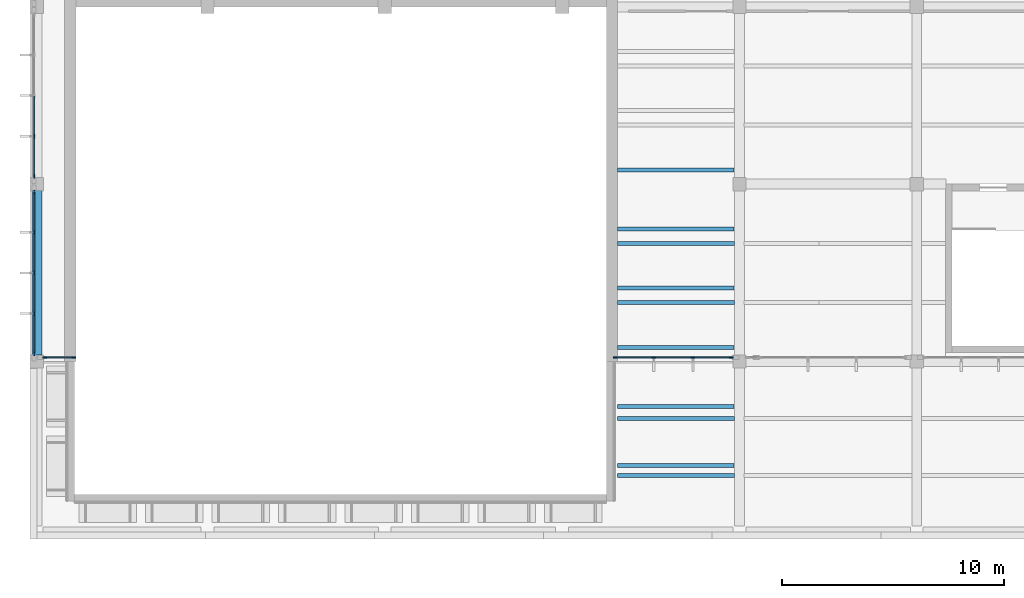
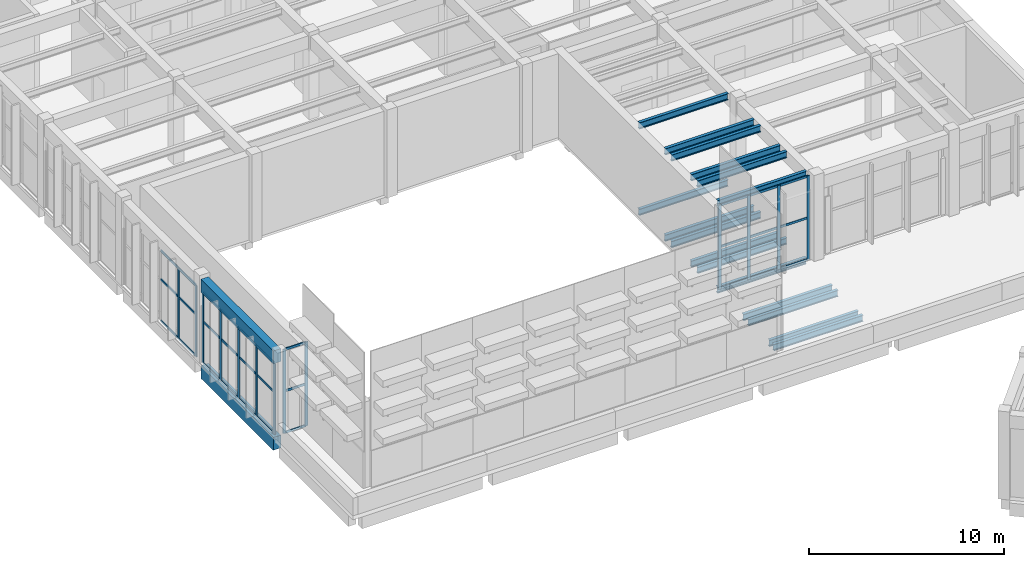
# One storey, part 5 of 94: 43 members, 18 beams, 4 elements without a shape of their own.
"""IFC4 building model written with IfcOpenShell, lengths in metres."""

from ifc_helpers import new_model, si_unit, direction, frame, origin, origin_2d, place, context, subcontext, project, spatial, rectangle, i_section, extrude, material, layer, layer_set, material_profile, profile_set, type_object, element, aggregate, save


model = new_model("IFC4")

# Units and contexts
model_context = context("Model", 3, precision=1e-05, world=origin(), true_north=direction((0.0, 1.0)))
body_context = subcontext(model_context, "Body", "Model", "MODEL_VIEW")
ifc_project = project(units=[si_unit("LENGTHUNIT", "METRE"), si_unit("AREAUNIT", "SQUARE_METRE"), si_unit("VOLUMEUNIT", "CUBIC_METRE"), si_unit("PLANEANGLEUNIT", "RADIAN"), si_unit("MASSUNIT", "GRAM", prefix="KILO")], contexts=[model_context])

# Site, building, storey
site_placement = place(None, origin())
site = spatial("IfcSite", under=ifc_project, at=site_placement, CompositionType="ELEMENT")
building_placement = place(site_placement, origin())
building = spatial("IfcBuilding", under=site, at=building_placement, Name="Lunette Opera House", CompositionType="ELEMENT")
storey_placement = place(building_placement, frame((0.0, 0.0, 22.5)))
storey = spatial("IfcBuildingStorey", under=building, at=storey_placement, Name="L04", CompositionType="ELEMENT", Elevation=22.5)

# Curtain wall, members
ifc_material_1 = material(Name="Aluminium", Category="aluminium")
ifc_layer = layer(ifc_material_1, 0.179931640625)
ifc_layer_set = layer_set([ifc_layer], Name="Aluminium")
curtain_wall_type = type_object("IfcCurtainWallType", Name="SUN FACE CURTAIN WALL", PredefinedType="NOTDEFINED", material=ifc_layer_set)
curtain_wall_1_placement = place(storey_placement, origin())
curtain_wall_1 = element("IfcCurtainWall", 1, at=curtain_wall_1_placement, inside=storey, type_object=curtain_wall_type, Name="Sun Face Curtain Wall F01-1 L04", PredefinedType="NOTDEFINED")
ifc_material_2 = material(Name="Aluminium", Category="aluminium")
ifc_material_profile_1 = material_profile(ifc_material_2, rectangle(XDim=0.06005859375, YDim=0.179931640625, at=origin_2d()), Name="MULLION 60 X 180")
ifc_profile_set_1 = profile_set([ifc_material_profile_1], Name="Aluminium")
member_type_1 = type_object("IfcMemberType", Name="MULLION 60 X 180", PredefinedType="MULLION", material=ifc_profile_set_1)
member_1_placement = place(storey_placement, frame((34.39501953125, 72.18310546875, 0.0), z_axis=(0.0, 0.0, 1.0), x_axis=(0.0, 1.0, 0.0)))
member_1 = element("IfcMember", 2, at=member_1_placement, type_object=member_type_1, Name="RW-X2057 mullion 1", PredefinedType="MULLION", context=body_context, shape_type="SweptSolid", body=[
    extrude(rectangle(XDim=0.06005859375, YDim=0.179931640625, at=origin_2d()), origin(), (0.0, 0.0, 1.0), 5.25),
])
member_2_placement = place(storey_placement, frame((36.13330078125, 72.18310546875, 0.0), z_axis=(0.0, 0.0, 1.0), x_axis=(0.0, 1.0, 0.0)))
member_2 = element("IfcMember", 3, at=member_2_placement, type_object=member_type_1, Name="RW-X2057 mullion 2", PredefinedType="MULLION", context=body_context, shape_type="SweptSolid", body=[
    extrude(rectangle(XDim=0.06005859375, YDim=0.179931640625, at=origin_2d()), origin(), (0.0, 0.0, 1.0), 5.25),
])
member_3_placement = place(storey_placement, frame((37.901611328125, 72.18310546875, 0.0), z_axis=(0.0, 0.0, 1.0), x_axis=(0.0, 1.0, 0.0)))
member_3 = element("IfcMember", 4, at=member_3_placement, type_object=member_type_1, Name="RW-X2057 mullion 3", PredefinedType="MULLION", context=body_context, shape_type="SweptSolid", body=[
    extrude(rectangle(XDim=0.06005859375, YDim=0.179931640625, at=origin_2d()), origin(), (0.0, 0.0, 1.0), 5.25),
])
member_4_placement = place(storey_placement, frame((39.639892578125, 72.18310546875, 0.0), z_axis=(0.0, 0.0, 1.0), x_axis=(0.0, 1.0, 0.0)))
member_4 = element("IfcMember", 5, at=member_4_placement, type_object=member_type_1, Name="RW-X2057 mullion 4", PredefinedType="MULLION", context=body_context, shape_type="SweptSolid", body=[
    extrude(rectangle(XDim=0.06005859375, YDim=0.179931640625, at=origin_2d()), origin(), (0.0, 0.0, 1.0), 5.25),
])

curtain_wall_2_placement = place(storey_placement, origin())
curtain_wall_2 = element("IfcCurtainWall", 6, at=curtain_wall_2_placement, inside=storey, type_object=curtain_wall_type, Name="Sun Face Curtain Wall F20 L04", PredefinedType="NOTDEFINED")
member_5_placement = place(storey_placement, frame((8.659912109375, 72.18310546875, 0.0), z_axis=(0.0, 0.0, 1.0), x_axis=(0.0, 1.0, 0.0)))
member_5 = element("IfcMember", 7, at=member_5_placement, type_object=member_type_1, Name="RW-X2066 mullion 1", PredefinedType="MULLION", context=body_context, shape_type="SweptSolid", body=[
    extrude(rectangle(XDim=0.06005859375, YDim=0.179931640625, at=origin_2d()), origin(), (0.0, 0.0, 1.0), 5.25),
])
member_6_placement = place(storey_placement, frame((9.969970703125, 72.18310546875, 0.0), z_axis=(0.0, 0.0, 1.0), x_axis=(0.0, 1.0, 0.0)))
member_6 = element("IfcMember", 8, at=member_6_placement, type_object=member_type_1, Name="RW-X2066 mullion 2", PredefinedType="MULLION", context=body_context, shape_type="SweptSolid", body=[
    extrude(rectangle(XDim=0.06005859375, YDim=0.179931640625, at=origin_2d()), origin(), (0.0, 0.0, 1.0), 5.25),
])

curtain_wall_3_placement = place(storey_placement, origin())
curtain_wall_3 = element("IfcCurtainWall", 9, at=curtain_wall_3_placement, inside=storey, type_object=curtain_wall_type, Name="Sun Face Curtain Wall F18 L04", PredefinedType="NOTDEFINED")
member_7_placement = place(storey_placement, frame((8.181884765625, 82.1650390625, 0.0), z_axis=(0.0, 0.0, 1.0), x_axis=(1.0, 0.0, 0.0)))
member_7 = element("IfcMember", 10, at=member_7_placement, type_object=member_type_1, Name="RW-X2064 mullion 4", PredefinedType="MULLION", context=body_context, shape_type="SweptSolid", body=[
    extrude(rectangle(XDim=0.06005859375, YDim=0.179931640625, at=origin_2d()), origin(), (0.0, 0.0, 1.0), 4.449951171875),
])
member_8_placement = place(storey_placement, frame((8.181884765625, 80.360107421875, 0.0), z_axis=(0.0, 0.0, 1.0), x_axis=(1.0, 0.0, 0.0)))
member_8 = element("IfcMember", 11, at=member_8_placement, type_object=member_type_1, Name="RW-X2064 mullion 5", PredefinedType="MULLION", context=body_context, shape_type="SweptSolid", body=[
    extrude(rectangle(XDim=0.06005859375, YDim=0.179931640625, at=origin_2d()), origin(), (0.0, 0.0, 1.0), 4.449951171875),
])

curtain_wall_4_placement = place(storey_placement, origin())
curtain_wall_4 = element("IfcCurtainWall", 12, at=curtain_wall_4_placement, inside=storey, type_object=curtain_wall_type, Name="Sun Face Curtain Wall F19 L04", PredefinedType="NOTDEFINED")
member_9_placement = place(storey_placement, frame((8.181884765625, 79.639892578125, 0.0), z_axis=(0.0, 0.0, 1.0), x_axis=(1.0, 0.0, 0.0)))
member_9 = element("IfcMember", 13, at=member_9_placement, type_object=member_type_1, Name="RW-X2065 mullion 1", PredefinedType="MULLION", context=body_context, shape_type="SweptSolid", body=[
    extrude(rectangle(XDim=0.06005859375, YDim=0.179931640625, at=origin_2d()), origin(), (0.0, 0.0, 1.0), 4.449951171875),
])
member_10_placement = place(storey_placement, frame((8.181884765625, 77.8349609375, 0.0), z_axis=(0.0, 0.0, 1.0), x_axis=(1.0, 0.0, 0.0)))
member_10 = element("IfcMember", 14, at=member_10_placement, type_object=member_type_1, Name="RW-X2065 mullion 2", PredefinedType="MULLION", context=body_context, shape_type="SweptSolid", body=[
    extrude(rectangle(XDim=0.06005859375, YDim=0.179931640625, at=origin_2d()), origin(), (0.0, 0.0, 1.0), 4.449951171875),
])
member_11_placement = place(storey_placement, frame((8.181884765625, 76.0, 0.0), z_axis=(0.0, 0.0, 1.0), x_axis=(1.0, 0.0, 0.0)))
member_11 = element("IfcMember", 15, at=member_11_placement, type_object=member_type_1, Name="RW-X2065 mullion 3", PredefinedType="MULLION", context=body_context, shape_type="SweptSolid", body=[
    extrude(rectangle(XDim=0.06005859375, YDim=0.179931640625, at=origin_2d()), origin(), (0.0, 0.0, 1.0), 4.449951171875),
])
member_12_placement = place(storey_placement, frame((8.181884765625, 74.1650390625, 0.0), z_axis=(0.0, 0.0, 1.0), x_axis=(1.0, 0.0, 0.0)))
member_12 = element("IfcMember", 16, at=member_12_placement, type_object=member_type_1, Name="RW-X2065 mullion 4", PredefinedType="MULLION", context=body_context, shape_type="SweptSolid", body=[
    extrude(rectangle(XDim=0.06005859375, YDim=0.179931640625, at=origin_2d()), origin(), (0.0, 0.0, 1.0), 4.449951171875),
])
member_13_placement = place(storey_placement, frame((8.181884765625, 72.360107421875, 0.0), z_axis=(0.0, 0.0, 1.0), x_axis=(1.0, 0.0, 0.0)))
member_13 = element("IfcMember", 17, at=member_13_placement, type_object=member_type_1, Name="RW-X2065 mullion 5", PredefinedType="MULLION", context=body_context, shape_type="SweptSolid", body=[
    extrude(rectangle(XDim=0.06005859375, YDim=0.179931640625, at=origin_2d()), origin(), (0.0, 0.0, 1.0), 4.449951171875),
])

# Beams
ifc_material_3 = material(Name="Concrete C35/45", Category="concrete")
ifc_material_profile_2 = material_profile(ifc_material_3, rectangle(XDim=0.449951171875, YDim=0.800048828125, at=origin_2d()), Name="RC BEAM 450X800")
ifc_profile_set_2 = profile_set([ifc_material_profile_2], Name="Concrete C35/45")
beam_type_1 = type_object("IfcBeamType", Name="RC BEAM 450X800", PredefinedType="BEAM", material=ifc_profile_set_2)
for number, where, z_axis, x_axis, name in (
    (18, (8.300048828125, 72.2900390625, -0.550048828125), (0.0, 1.0, 0.0), (-1.0, 0.0, 0.0), "beam-RW-L04-L04-GY01"),
    (19, (8.300048828125, 72.2900390625, 4.85009765625), (0.0, 1.0, 0.0), (-1.0, 0.0, 0.0), "beam-RW-L04-L04R-GY01"),
):
    element("IfcBeam", number, at=place(storey_placement, frame(where, z_axis=z_axis, x_axis=x_axis)), inside=storey, type_object=beam_type_1, Name=name, PredefinedType="BEAM", context=body_context, shape_type="SweptSolid", body=[
        extrude(rectangle(XDim=0.449951171875, YDim=0.800048828125, at=origin_2d()), origin(), (0.0, 0.0, 1.0), 7.419921875),
    ])
ifc_material_4 = material(Name="Steel S355", Category="steel")
ifc_material_profile_3 = material_profile(ifc_material_4, i_section(OverallWidth=0.179931640625, OverallDepth=0.39990234375, WebThickness=0.008544921875, FlangeThickness=0.013427734375, FilletRadius=0.02099609375, at=origin_2d()), Name="IPE 400")
ifc_profile_set_3 = profile_set([ifc_material_profile_3], Name="Steel S355")
beam_type_2 = type_object("IfcBeamType", Name="STEEL BEAM IPE 400", PredefinedType="BEAM", material=ifc_profile_set_3)
for number, where, z_axis, x_axis, name in (
    (20, (34.5, 66.866943359375, -0.449951171875), (1.0, 0.0, 0.0), (0.0, 1.0, 0.0), "beam-RW-L04-L04-SX301-01"),
    (21, (34.5, 69.43310546875, -0.449951171875), (1.0, 0.0, 0.0), (0.0, 1.0, 0.0), "beam-RW-L04-L04-SX302-01"),
    (22, (34.5, 74.6669921875, -0.35009765625), (1.0, 0.0, 0.0), (0.0, 1.0, 0.0), "beam-RW-L04-L04-SX311-01"),
    (23, (34.5, 77.3330078125, -0.35009765625), (1.0, 0.0, 0.0), (0.0, 1.0, 0.0), "beam-RW-L04-L04-SX312-01"),
):
    element("IfcBeam", number, at=place(storey_placement, frame(where, z_axis=z_axis, x_axis=x_axis)), inside=storey, type_object=beam_type_2, Name=name, PredefinedType="BEAM", context=body_context, shape_type="SweptSolid", body=[
        extrude(i_section(OverallWidth=0.179931640625, OverallDepth=0.39990234375, WebThickness=0.008544921875, FlangeThickness=0.013427734375, FilletRadius=0.02099609375, at=origin_2d()), origin(), (0.0, 0.0, 1.0), 5.284912109375),
    ])
for number, where, z_axis, x_axis, name in (
    (24, (34.5, 67.300048828125, -0.449951171875), (1.0, 0.0, 0.0), (0.0, 1.0, 0.0), "beam-RW-L04-L04-RJE10660"),
    (25, (34.5, 69.969970703125, -0.449951171875), (1.0, 0.0, 0.0), (0.0, 1.0, 0.0), "beam-RW-L04-L04-RJE10661"),
    (26, (34.5, 72.639892578125, -0.35009765625), (1.0, 0.0, 0.0), (0.0, 1.0, 0.0), "beam-RW-L04-L04-RJE10662"),
    (27, (34.5, 75.31005859375, -0.35009765625), (1.0, 0.0, 0.0), (0.0, 1.0, 0.0), "beam-RW-L04-L04-RJE10663"),
    (28, (34.5, 77.97998046875, -0.35009765625), (1.0, 0.0, 0.0), (0.0, 1.0, 0.0), "beam-RW-L04-L04-RJE10664"),
    (29, (34.5, 80.64990234375, -0.35009765625), (1.0, 0.0, 0.0), (0.0, 1.0, 0.0), "beam-RW-L04-L04-RJE10665"),
):
    element("IfcBeam", number, at=place(storey_placement, frame(where, z_axis=z_axis, x_axis=x_axis)), inside=storey, type_object=beam_type_2, Name=name, PredefinedType="BEAM", context=body_context, shape_type="SweptSolid", body=[
        extrude(i_section(OverallWidth=0.179931640625, OverallDepth=0.39990234375, WebThickness=0.008544921875, FlangeThickness=0.013427734375, FilletRadius=0.02099609375, at=origin_2d()), origin(), (0.0, 0.0, 1.0), 5.264892578125),
    ])
for number, where, z_axis, x_axis, name in (
    (30, (34.5, 74.6669921875, 5.050048828125), (1.0, 0.0, 0.0), (0.0, 1.0, 0.0), "beam-RW-L04-L04R-SX311-01"),
    (31, (34.5, 77.3330078125, 5.050048828125), (1.0, 0.0, 0.0), (0.0, 1.0, 0.0), "beam-RW-L04-L04R-SX312-01"),
):
    element("IfcBeam", number, at=place(storey_placement, frame(where, z_axis=z_axis, x_axis=x_axis)), inside=storey, type_object=beam_type_2, Name=name, PredefinedType="BEAM", context=body_context, shape_type="SweptSolid", body=[
        extrude(i_section(OverallWidth=0.179931640625, OverallDepth=0.39990234375, WebThickness=0.008544921875, FlangeThickness=0.013427734375, FilletRadius=0.02099609375, at=origin_2d()), origin(), (0.0, 0.0, 1.0), 5.284912109375),
    ])
for number, where, z_axis, x_axis, name in (
    (32, (34.5, 72.639892578125, 5.050048828125), (1.0, 0.0, 0.0), (0.0, 1.0, 0.0), "beam-RW-L04-L04R-RJE10662"),
    (33, (34.5, 75.31005859375, 5.050048828125), (1.0, 0.0, 0.0), (0.0, 1.0, 0.0), "beam-RW-L04-L04R-RJE10663"),
    (34, (34.5, 77.97998046875, 5.050048828125), (1.0, 0.0, 0.0), (0.0, 1.0, 0.0), "beam-RW-L04-L04R-RJE10664"),
    (35, (34.5, 80.64990234375, 5.050048828125), (1.0, 0.0, 0.0), (0.0, 1.0, 0.0), "beam-RW-L04-L04R-RJE10665"),
):
    element("IfcBeam", number, at=place(storey_placement, frame(where, z_axis=z_axis, x_axis=x_axis)), inside=storey, type_object=beam_type_2, Name=name, PredefinedType="BEAM", context=body_context, shape_type="SweptSolid", body=[
        extrude(i_section(OverallWidth=0.179931640625, OverallDepth=0.39990234375, WebThickness=0.008544921875, FlangeThickness=0.013427734375, FilletRadius=0.02099609375, at=origin_2d()), origin(), (0.0, 0.0, 1.0), 5.264892578125),
    ])

# Member
ifc_material_5 = material(Name="Aluminium", Category="aluminium")
ifc_material_profile_4 = material_profile(ifc_material_5, rectangle(XDim=0.06005859375, YDim=0.139892578125, at=origin_2d()), Name="TRANSOM 60 X 140")
ifc_profile_set_4 = profile_set([ifc_material_profile_4], Name="Aluminium")
member_type_2 = type_object("IfcMemberType", Name="TRANSOM 60 X 140", PredefinedType="USERDEFINED", material=ifc_profile_set_4)
member_14_placement = place(storey_placement, frame((34.425048828125, 72.18310546875, 0.030029296875), z_axis=(1.0, 0.0, 0.0), x_axis=(0.0, 1.0, 0.0)))
member_14 = element("IfcMember", 36, at=member_14_placement, type_object=member_type_2, Name="RW-X2057 transom 1.1", ObjectType="TRANSOM", PredefinedType="USERDEFINED", context=body_context, shape_type="SweptSolid", body=[
    extrude(rectangle(XDim=0.06005859375, YDim=0.139892578125, at=origin_2d()), origin(), (0.0, 0.0, 1.0), 1.67822265625),
])

member_15_placement = place(storey_placement, frame((34.425048828125, 72.18310546875, 2.625), z_axis=(1.0, 0.0, 0.0), x_axis=(0.0, 1.0, 0.0)))
member_15 = element("IfcMember", 37, at=member_15_placement, type_object=member_type_2, Name="RW-X2057 transom 1.2", ObjectType="TRANSOM", PredefinedType="USERDEFINED", context=body_context, shape_type="SweptSolid", body=[
    extrude(rectangle(XDim=0.06005859375, YDim=0.139892578125, at=origin_2d()), origin(), (0.0, 0.0, 1.0), 1.67822265625),
])

member_16_placement = place(storey_placement, frame((34.425048828125, 72.18310546875, 5.219970703125), z_axis=(1.0, 0.0, 0.0), x_axis=(0.0, 1.0, 0.0)))
member_16 = element("IfcMember", 38, at=member_16_placement, type_object=member_type_2, Name="RW-X2057 transom 1.3", ObjectType="TRANSOM", PredefinedType="USERDEFINED", context=body_context, shape_type="SweptSolid", body=[
    extrude(rectangle(XDim=0.06005859375, YDim=0.139892578125, at=origin_2d()), origin(), (0.0, 0.0, 1.0), 1.67822265625),
])

member_17_placement = place(storey_placement, frame((36.163330078125, 72.18310546875, 0.030029296875), z_axis=(1.0, 0.0, 0.0), x_axis=(0.0, 1.0, 0.0)))
member_17 = element("IfcMember", 39, at=member_17_placement, type_object=member_type_2, Name="RW-X2057 transom 2.1", ObjectType="TRANSOM", PredefinedType="USERDEFINED", context=body_context, shape_type="SweptSolid", body=[
    extrude(rectangle(XDim=0.06005859375, YDim=0.139892578125, at=origin_2d()), origin(), (0.0, 0.0, 1.0), 1.708251953125),
])

member_18_placement = place(storey_placement, frame((36.163330078125, 72.18310546875, 2.625), z_axis=(1.0, 0.0, 0.0), x_axis=(0.0, 1.0, 0.0)))
member_18 = element("IfcMember", 40, at=member_18_placement, type_object=member_type_2, Name="RW-X2057 transom 2.2", ObjectType="TRANSOM", PredefinedType="USERDEFINED", context=body_context, shape_type="SweptSolid", body=[
    extrude(rectangle(XDim=0.06005859375, YDim=0.139892578125, at=origin_2d()), origin(), (0.0, 0.0, 1.0), 1.708251953125),
])

member_19_placement = place(storey_placement, frame((36.163330078125, 72.18310546875, 5.219970703125), z_axis=(1.0, 0.0, 0.0), x_axis=(0.0, 1.0, 0.0)))
member_19 = element("IfcMember", 41, at=member_19_placement, type_object=member_type_2, Name="RW-X2057 transom 2.3", ObjectType="TRANSOM", PredefinedType="USERDEFINED", context=body_context, shape_type="SweptSolid", body=[
    extrude(rectangle(XDim=0.06005859375, YDim=0.139892578125, at=origin_2d()), origin(), (0.0, 0.0, 1.0), 1.708251953125),
])

member_20_placement = place(storey_placement, frame((37.931640625, 72.18310546875, 0.030029296875), z_axis=(1.0, 0.0, 0.0), x_axis=(0.0, 1.0, 0.0)))
member_20 = element("IfcMember", 42, at=member_20_placement, type_object=member_type_2, Name="RW-X2057 transom 3.1", ObjectType="TRANSOM", PredefinedType="USERDEFINED", context=body_context, shape_type="SweptSolid", body=[
    extrude(rectangle(XDim=0.06005859375, YDim=0.139892578125, at=origin_2d()), origin(), (0.0, 0.0, 1.0), 1.678466796875),
])

member_21_placement = place(storey_placement, frame((37.931640625, 72.18310546875, 2.625), z_axis=(1.0, 0.0, 0.0), x_axis=(0.0, 1.0, 0.0)))
member_21 = element("IfcMember", 43, at=member_21_placement, type_object=member_type_2, Name="RW-X2057 transom 3.2", ObjectType="TRANSOM", PredefinedType="USERDEFINED", context=body_context, shape_type="SweptSolid", body=[
    extrude(rectangle(XDim=0.06005859375, YDim=0.139892578125, at=origin_2d()), origin(), (0.0, 0.0, 1.0), 1.678466796875),
])

member_22_placement = place(storey_placement, frame((37.931640625, 72.18310546875, 5.219970703125), z_axis=(1.0, 0.0, 0.0), x_axis=(0.0, 1.0, 0.0)))
member_22 = element("IfcMember", 44, at=member_22_placement, type_object=member_type_2, Name="RW-X2057 transom 3.3", ObjectType="TRANSOM", PredefinedType="USERDEFINED", context=body_context, shape_type="SweptSolid", body=[
    extrude(rectangle(XDim=0.06005859375, YDim=0.139892578125, at=origin_2d()), origin(), (0.0, 0.0, 1.0), 1.678466796875),
])

aggregate(curtain_wall_1, [member_1, member_2, member_3, member_4, member_14, member_15, member_16, member_17, member_18, member_19, member_20, member_21, member_22])

member_23_placement = place(storey_placement, frame((8.68994140625, 72.18310546875, 0.030029296875), z_axis=(1.0, 0.0, 0.0), x_axis=(0.0, 1.0, 0.0)))
member_23 = element("IfcMember", 45, at=member_23_placement, type_object=member_type_2, Name="RW-X2066 transom 1.1", ObjectType="TRANSOM", PredefinedType="USERDEFINED", context=body_context, shape_type="SweptSolid", body=[
    extrude(rectangle(XDim=0.06005859375, YDim=0.139892578125, at=origin_2d()), origin(), (0.0, 0.0, 1.0), 1.25),
])

member_24_placement = place(storey_placement, frame((8.68994140625, 72.18310546875, 2.625), z_axis=(1.0, 0.0, 0.0), x_axis=(0.0, 1.0, 0.0)))
member_24 = element("IfcMember", 46, at=member_24_placement, type_object=member_type_2, Name="RW-X2066 transom 1.2", ObjectType="TRANSOM", PredefinedType="USERDEFINED", context=body_context, shape_type="SweptSolid", body=[
    extrude(rectangle(XDim=0.06005859375, YDim=0.139892578125, at=origin_2d()), origin(), (0.0, 0.0, 1.0), 1.25),
])

member_25_placement = place(storey_placement, frame((8.68994140625, 72.18310546875, 5.219970703125), z_axis=(1.0, 0.0, 0.0), x_axis=(0.0, 1.0, 0.0)))
member_25 = element("IfcMember", 47, at=member_25_placement, type_object=member_type_2, Name="RW-X2066 transom 1.3", ObjectType="TRANSOM", PredefinedType="USERDEFINED", context=body_context, shape_type="SweptSolid", body=[
    extrude(rectangle(XDim=0.06005859375, YDim=0.139892578125, at=origin_2d()), origin(), (0.0, 0.0, 1.0), 1.25),
])

aggregate(curtain_wall_2, [member_5, member_6, member_23, member_24, member_25])

member_26_placement = place(storey_placement, frame((8.181884765625, 83.969970703125, 0.030029296875), z_axis=(0.0, -1.0, 0.0), x_axis=(1.0, 0.0, 0.0)))
member_26 = element("IfcMember", 48, at=member_26_placement, type_object=member_type_2, Name="RW-X2064 transom 3.1", ObjectType="TRANSOM", PredefinedType="USERDEFINED", context=body_context, shape_type="SweptSolid", body=[
    extrude(rectangle(XDim=0.06005859375, YDim=0.139892578125, at=origin_2d()), origin(), (0.0, 0.0, 1.0), 1.77490234375),
])

member_27_placement = place(storey_placement, frame((8.181884765625, 83.969970703125, 2.625), z_axis=(0.0, -1.0, 0.0), x_axis=(1.0, 0.0, 0.0)))
member_27 = element("IfcMember", 49, at=member_27_placement, type_object=member_type_2, Name="RW-X2064 transom 3.2", ObjectType="TRANSOM", PredefinedType="USERDEFINED", context=body_context, shape_type="SweptSolid", body=[
    extrude(rectangle(XDim=0.06005859375, YDim=0.139892578125, at=origin_2d()), origin(), (0.0, 0.0, 1.0), 1.77490234375),
])

member_28_placement = place(storey_placement, frame((8.181884765625, 83.969970703125, 4.419921875), z_axis=(0.0, -1.0, 0.0), x_axis=(1.0, 0.0, 0.0)))
member_28 = element("IfcMember", 50, at=member_28_placement, type_object=member_type_2, Name="RW-X2064 transom 3.3", ObjectType="TRANSOM", PredefinedType="USERDEFINED", context=body_context, shape_type="SweptSolid", body=[
    extrude(rectangle(XDim=0.06005859375, YDim=0.139892578125, at=origin_2d()), origin(), (0.0, 0.0, 1.0), 1.77490234375),
])

member_29_placement = place(storey_placement, frame((8.181884765625, 82.135009765625, 0.030029296875), z_axis=(0.0, -1.0, 0.0), x_axis=(1.0, 0.0, 0.0)))
member_29 = element("IfcMember", 51, at=member_29_placement, type_object=member_type_2, Name="RW-X2064 transom 4.1", ObjectType="TRANSOM", PredefinedType="USERDEFINED", context=body_context, shape_type="SweptSolid", body=[
    extrude(rectangle(XDim=0.06005859375, YDim=0.139892578125, at=origin_2d()), origin(), (0.0, 0.0, 1.0), 1.7451171875),
])

member_30_placement = place(storey_placement, frame((8.181884765625, 82.135009765625, 2.625), z_axis=(0.0, -1.0, 0.0), x_axis=(1.0, 0.0, 0.0)))
member_30 = element("IfcMember", 52, at=member_30_placement, type_object=member_type_2, Name="RW-X2064 transom 4.2", ObjectType="TRANSOM", PredefinedType="USERDEFINED", context=body_context, shape_type="SweptSolid", body=[
    extrude(rectangle(XDim=0.06005859375, YDim=0.139892578125, at=origin_2d()), origin(), (0.0, 0.0, 1.0), 1.7451171875),
])

member_31_placement = place(storey_placement, frame((8.181884765625, 82.135009765625, 4.419921875), z_axis=(0.0, -1.0, 0.0), x_axis=(1.0, 0.0, 0.0)))
member_31 = element("IfcMember", 53, at=member_31_placement, type_object=member_type_2, Name="RW-X2064 transom 4.3", ObjectType="TRANSOM", PredefinedType="USERDEFINED", context=body_context, shape_type="SweptSolid", body=[
    extrude(rectangle(XDim=0.06005859375, YDim=0.139892578125, at=origin_2d()), origin(), (0.0, 0.0, 1.0), 1.7451171875),
])

aggregate(curtain_wall_3, [member_7, member_8, member_26, member_27, member_28, member_29, member_30, member_31])

member_32_placement = place(storey_placement, frame((8.181884765625, 79.610107421875, 0.030029296875), z_axis=(0.0, -1.0, 0.0), x_axis=(1.0, 0.0, 0.0)))
member_32 = element("IfcMember", 54, at=member_32_placement, type_object=member_type_2, Name="RW-X2065 transom 1.1", ObjectType="TRANSOM", PredefinedType="USERDEFINED", context=body_context, shape_type="SweptSolid", body=[
    extrude(rectangle(XDim=0.06005859375, YDim=0.139892578125, at=origin_2d()), origin(), (0.0, 0.0, 1.0), 1.7451171875),
])

member_33_placement = place(storey_placement, frame((8.181884765625, 79.610107421875, 2.625), z_axis=(0.0, -1.0, 0.0), x_axis=(1.0, 0.0, 0.0)))
member_33 = element("IfcMember", 55, at=member_33_placement, type_object=member_type_2, Name="RW-X2065 transom 1.2", ObjectType="TRANSOM", PredefinedType="USERDEFINED", context=body_context, shape_type="SweptSolid", body=[
    extrude(rectangle(XDim=0.06005859375, YDim=0.139892578125, at=origin_2d()), origin(), (0.0, 0.0, 1.0), 1.7451171875),
])

member_34_placement = place(storey_placement, frame((8.181884765625, 79.610107421875, 4.419921875), z_axis=(0.0, -1.0, 0.0), x_axis=(1.0, 0.0, 0.0)))
member_34 = element("IfcMember", 56, at=member_34_placement, type_object=member_type_2, Name="RW-X2065 transom 1.3", ObjectType="TRANSOM", PredefinedType="USERDEFINED", context=body_context, shape_type="SweptSolid", body=[
    extrude(rectangle(XDim=0.06005859375, YDim=0.139892578125, at=origin_2d()), origin(), (0.0, 0.0, 1.0), 1.7451171875),
])

member_35_placement = place(storey_placement, frame((8.181884765625, 77.804931640625, 0.030029296875), z_axis=(0.0, -1.0, 0.0), x_axis=(1.0, 0.0, 0.0)))
member_35 = element("IfcMember", 57, at=member_35_placement, type_object=member_type_2, Name="RW-X2065 transom 2.1", ObjectType="TRANSOM", PredefinedType="USERDEFINED", context=body_context, shape_type="SweptSolid", body=[
    extrude(rectangle(XDim=0.06005859375, YDim=0.139892578125, at=origin_2d()), origin(), (0.0, 0.0, 1.0), 1.77490234375),
])

member_36_placement = place(storey_placement, frame((8.181884765625, 77.804931640625, 2.625), z_axis=(0.0, -1.0, 0.0), x_axis=(1.0, 0.0, 0.0)))
member_36 = element("IfcMember", 58, at=member_36_placement, type_object=member_type_2, Name="RW-X2065 transom 2.2", ObjectType="TRANSOM", PredefinedType="USERDEFINED", context=body_context, shape_type="SweptSolid", body=[
    extrude(rectangle(XDim=0.06005859375, YDim=0.139892578125, at=origin_2d()), origin(), (0.0, 0.0, 1.0), 1.77490234375),
])

member_37_placement = place(storey_placement, frame((8.181884765625, 77.804931640625, 4.419921875), z_axis=(0.0, -1.0, 0.0), x_axis=(1.0, 0.0, 0.0)))
member_37 = element("IfcMember", 59, at=member_37_placement, type_object=member_type_2, Name="RW-X2065 transom 2.3", ObjectType="TRANSOM", PredefinedType="USERDEFINED", context=body_context, shape_type="SweptSolid", body=[
    extrude(rectangle(XDim=0.06005859375, YDim=0.139892578125, at=origin_2d()), origin(), (0.0, 0.0, 1.0), 1.77490234375),
])

member_38_placement = place(storey_placement, frame((8.181884765625, 75.969970703125, 0.030029296875), z_axis=(0.0, -1.0, 0.0), x_axis=(1.0, 0.0, 0.0)))
member_38 = element("IfcMember", 60, at=member_38_placement, type_object=member_type_2, Name="RW-X2065 transom 3.1", ObjectType="TRANSOM", PredefinedType="USERDEFINED", context=body_context, shape_type="SweptSolid", body=[
    extrude(rectangle(XDim=0.06005859375, YDim=0.139892578125, at=origin_2d()), origin(), (0.0, 0.0, 1.0), 1.77490234375),
])

member_39_placement = place(storey_placement, frame((8.181884765625, 75.969970703125, 2.625), z_axis=(0.0, -1.0, 0.0), x_axis=(1.0, 0.0, 0.0)))
member_39 = element("IfcMember", 61, at=member_39_placement, type_object=member_type_2, Name="RW-X2065 transom 3.2", ObjectType="TRANSOM", PredefinedType="USERDEFINED", context=body_context, shape_type="SweptSolid", body=[
    extrude(rectangle(XDim=0.06005859375, YDim=0.139892578125, at=origin_2d()), origin(), (0.0, 0.0, 1.0), 1.77490234375),
])

member_40_placement = place(storey_placement, frame((8.181884765625, 75.969970703125, 4.419921875), z_axis=(0.0, -1.0, 0.0), x_axis=(1.0, 0.0, 0.0)))
member_40 = element("IfcMember", 62, at=member_40_placement, type_object=member_type_2, Name="RW-X2065 transom 3.3", ObjectType="TRANSOM", PredefinedType="USERDEFINED", context=body_context, shape_type="SweptSolid", body=[
    extrude(rectangle(XDim=0.06005859375, YDim=0.139892578125, at=origin_2d()), origin(), (0.0, 0.0, 1.0), 1.77490234375),
])

member_41_placement = place(storey_placement, frame((8.181884765625, 74.135009765625, 0.030029296875), z_axis=(0.0, -1.0, 0.0), x_axis=(1.0, 0.0, 0.0)))
member_41 = element("IfcMember", 63, at=member_41_placement, type_object=member_type_2, Name="RW-X2065 transom 4.1", ObjectType="TRANSOM", PredefinedType="USERDEFINED", context=body_context, shape_type="SweptSolid", body=[
    extrude(rectangle(XDim=0.06005859375, YDim=0.139892578125, at=origin_2d()), origin(), (0.0, 0.0, 1.0), 1.7451171875),
])

member_42_placement = place(storey_placement, frame((8.181884765625, 74.135009765625, 2.625), z_axis=(0.0, -1.0, 0.0), x_axis=(1.0, 0.0, 0.0)))
member_42 = element("IfcMember", 64, at=member_42_placement, type_object=member_type_2, Name="RW-X2065 transom 4.2", ObjectType="TRANSOM", PredefinedType="USERDEFINED", context=body_context, shape_type="SweptSolid", body=[
    extrude(rectangle(XDim=0.06005859375, YDim=0.139892578125, at=origin_2d()), origin(), (0.0, 0.0, 1.0), 1.7451171875),
])

member_43_placement = place(storey_placement, frame((8.181884765625, 74.135009765625, 4.419921875), z_axis=(0.0, -1.0, 0.0), x_axis=(1.0, 0.0, 0.0)))
member_43 = element("IfcMember", 65, at=member_43_placement, type_object=member_type_2, Name="RW-X2065 transom 4.3", ObjectType="TRANSOM", PredefinedType="USERDEFINED", context=body_context, shape_type="SweptSolid", body=[
    extrude(rectangle(XDim=0.06005859375, YDim=0.139892578125, at=origin_2d()), origin(), (0.0, 0.0, 1.0), 1.7451171875),
])

aggregate(curtain_wall_4, [member_9, member_10, member_11, member_12, member_13, member_32, member_33, member_34, member_35, member_36, member_37, member_38, member_39, member_40, member_41, member_42, member_43])

save(model, "model.ifc")
